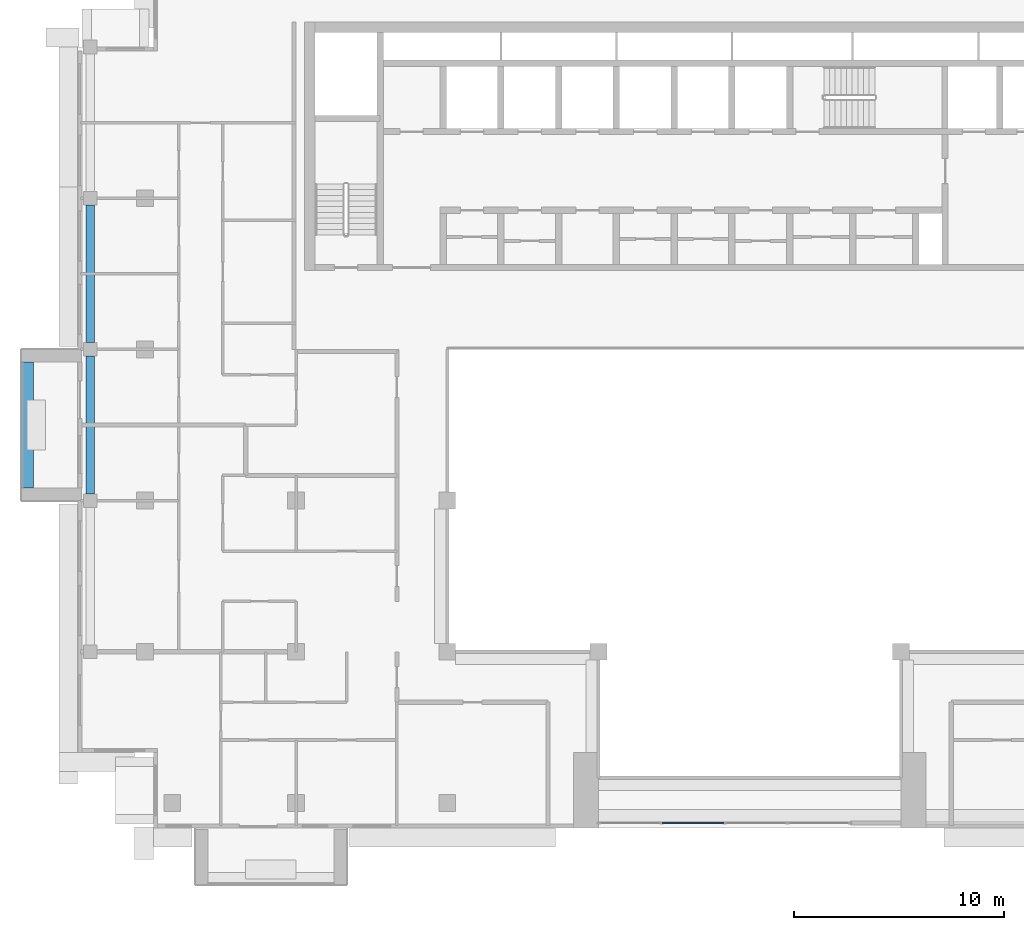
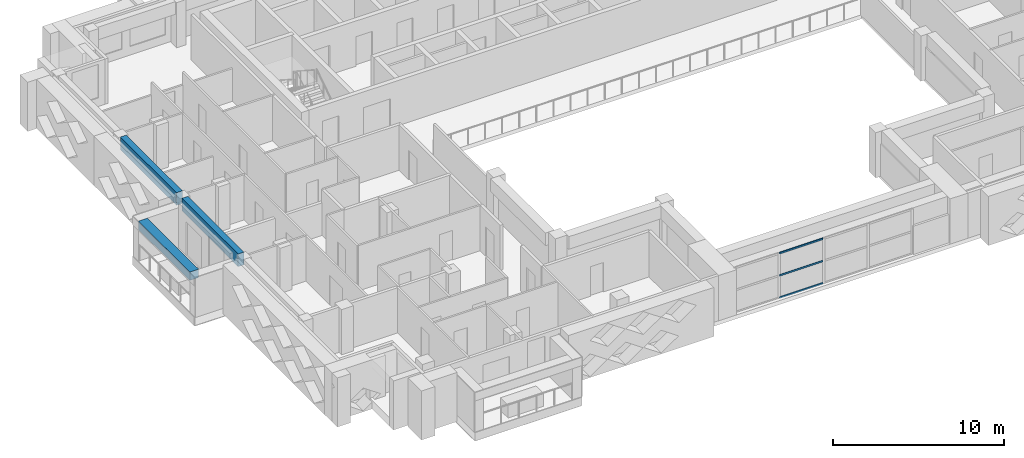
# One storey, part 3 of 19: 3 beams, 3 members, 1 element without a shape of its own.
"""IFC4 building model written with IfcOpenShell, lengths in metres."""

from ifc_helpers import new_model, si_unit, direction, frame, origin, origin_2d, place, context, subcontext, project, spatial, rectangle, extrude, source, transform, mapped, material, layer, layer_set, material_profile, profile_set, type_object, element, aggregate, save


model = new_model("IFC4")

# Units and contexts
model_context = context("Model", 3, precision=1e-05, world=origin(), true_north=direction((0.0, 1.0)))
body_context = subcontext(model_context, "Body", "Model", "MODEL_VIEW")
ifc_project = project(units=[si_unit("LENGTHUNIT", "METRE"), si_unit("AREAUNIT", "SQUARE_METRE"), si_unit("VOLUMEUNIT", "CUBIC_METRE"), si_unit("PLANEANGLEUNIT", "RADIAN"), si_unit("MASSUNIT", "GRAM", prefix="KILO")], contexts=[model_context])

# Site, building, storey
site_placement = place(None, origin())
site = spatial("IfcSite", under=ifc_project, at=site_placement, CompositionType="ELEMENT")
building_placement = place(site_placement, origin())
building = spatial("IfcBuilding", under=site, at=building_placement, Name="Saffron Iwan Residences", CompositionType="ELEMENT")
storey_placement = place(building_placement, frame((0.0, 0.0, 236.0)))
storey = spatial("IfcBuildingStorey", under=building, at=storey_placement, Name="L63", CompositionType="ELEMENT", Elevation=236.0)

# Beams
ifc_material_1 = material(Name="Concrete C40/50", Category="concrete")
ifc_material_profile_1 = material_profile(ifc_material_1, rectangle(XDim=0.39990234375, YDim=0.89990234375, at=origin_2d()), Name="RC 400x900")
ifc_profile_set_1 = profile_set([ifc_material_profile_1], Name="Concrete C40/50")
beam_type_1 = type_object("IfcBeamType", Name="SPANDREL BEAM RC 400x900 C40/50 TOP 3220", PredefinedType="SPANDREL", material=ifc_profile_set_1)
shared_shape_1 = source(origin(), body_context, "Body", "SweptSolid", [
    extrude(rectangle(XDim=0.39990234375, YDim=0.89990234375, at=origin_2d()), origin(), (0.0, 0.0, 1.0), 6.550048828125),
])
beam_1_placement = place(storey_placement, frame((19.0, 55.52490234375, 2.77001953125), z_axis=(0.0, 1.0, 0.0), x_axis=(-1.0, 0.0, 0.0)))
element("IfcBeam", 1, at=beam_1_placement, inside=storey, type_object=beam_type_1, Name="Spandrel beam", PredefinedType="SPANDREL", context=body_context, shape_type="MappedRepresentation", body=[
    mapped(shared_shape_1, transform((0.0, 0.0, 0.0))),
])
shared_shape_2 = source(origin(), body_context, "Body", "SweptSolid", [
    extrude(rectangle(XDim=0.39990234375, YDim=0.89990234375, at=origin_2d()), origin(), (0.0, 0.0, 1.0), 6.5498046875),
])
beam_2_placement = place(storey_placement, frame((19.0, 62.72509765625, 2.77001953125), z_axis=(0.0, 1.0, 0.0), x_axis=(-1.0, 0.0, 0.0)))
element("IfcBeam", 2, at=beam_2_placement, inside=storey, type_object=beam_type_1, Name="Spandrel beam", PredefinedType="SPANDREL", context=body_context, shape_type="MappedRepresentation", body=[
    mapped(shared_shape_2, transform((0.0, 0.0, 0.0))),
])

# Curtain wall, members
ifc_material_2 = material(Name="Clear glass, laminated double glazed", Category="glass")
ifc_layer = layer(ifc_material_2, 0.199951171875)
ifc_layer_set = layer_set([ifc_layer], Name="Clear glass, laminated double glazed")
curtain_wall_type = type_object("IfcCurtainWallType", Name="CW-B IWAN PORTAL", PredefinedType="NOTDEFINED", material=ifc_layer_set)
curtain_wall_placement = place(storey_placement, origin())
curtain_wall = element("IfcCurtainWall", 3, at=curtain_wall_placement, inside=storey, type_object=curtain_wall_type, Name="Iwan portal glazing L63.1", PredefinedType="NOTDEFINED")
ifc_material_3 = material(Name="Aluminium 6063-T6", Category="aluminium")
ifc_material_profile_2 = material_profile(ifc_material_3, rectangle(XDim=0.06005859375, YDim=0.1201171875, at=origin_2d()), Name="CW-B TRANSOM 60 x 120")
ifc_profile_set_2 = profile_set([ifc_material_profile_2], Name="Aluminium 6063-T6")
member_type = type_object("IfcMemberType", Name="CW-B TRANSOM 60 x 120", PredefinedType="USERDEFINED", material=ifc_profile_set_2)
shared_shape_3 = source(origin(), body_context, "Body", "SweptSolid", [
    extrude(rectangle(XDim=0.06005859375, YDim=0.1201171875, at=origin_2d()), origin(), (0.0, 0.0, 1.0), 2.93994140625),
])
member_1_placement = place(storey_placement, frame((46.22998046875, 39.85009765625, 0.030029296875), z_axis=(1.0, 0.0, 0.0), x_axis=(0.0, 1.0, 0.0)))
member_1 = element("IfcMember", 4, at=member_1_placement, type_object=member_type, Name="CW-B transom 2.1", ObjectType="TRANSOM", PredefinedType="USERDEFINED", context=body_context, shape_type="MappedRepresentation", body=[
    mapped(shared_shape_3, transform((0.0, 0.0, 0.0))),
])
member_2_placement = place(storey_placement, frame((46.22998046875, 39.85009765625, 1.610107421875), z_axis=(1.0, 0.0, 0.0), x_axis=(0.0, 1.0, 0.0)))
member_2 = element("IfcMember", 5, at=member_2_placement, type_object=member_type, Name="CW-B transom 2.2", ObjectType="TRANSOM", PredefinedType="USERDEFINED", context=body_context, shape_type="MappedRepresentation", body=[
    mapped(shared_shape_3, transform((0.0, 0.0, 0.0))),
])
member_3_placement = place(storey_placement, frame((46.22998046875, 39.85009765625, 3.18994140625), z_axis=(1.0, 0.0, 0.0), x_axis=(0.0, 1.0, 0.0)))
member_3 = element("IfcMember", 6, at=member_3_placement, type_object=member_type, Name="CW-B transom 2.3", ObjectType="TRANSOM", PredefinedType="USERDEFINED", context=body_context, shape_type="MappedRepresentation", body=[
    mapped(shared_shape_3, transform((0.0, 0.0, 0.0))),
])
aggregate(curtain_wall, [member_1, member_2, member_3])

# Beam
ifc_material_4 = material(Name="Concrete C50/60 white painted", Category="concrete")
ifc_material_profile_3 = material_profile(ifc_material_4, rectangle(XDim=0.60009765625, YDim=0.60009765625, at=origin_2d()), Name="BALCONY FASCIA BEAM 600 x 600")
ifc_profile_set_3 = profile_set([ifc_material_profile_3], Name="Concrete C50/60 white painted")
beam_type_2 = type_object("IfcBeamType", Name="BALCONY FASCIA BEAM 600 x 600", PredefinedType="BEAM", material=ifc_profile_set_3)
shared_shape_4 = source(origin(), body_context, "Body", "SweptSolid", [
    extrude(rectangle(XDim=0.60009765625, YDim=0.60009765625, at=origin_2d()), origin(), (0.0, 0.0, 1.0), 6.0),
])
beam_3_placement = place(storey_placement, frame((16.0, 61.800048828125, 2.550048828125), z_axis=(0.0, -1.0, 0.0), x_axis=(1.0, 0.0, 0.0)))
element("IfcBeam", 7, at=beam_3_placement, inside=storey, type_object=beam_type_2, Name="Balcony fascia beam L63 F8-0", PredefinedType="BEAM", context=body_context, shape_type="MappedRepresentation", body=[
    mapped(shared_shape_4, transform((0.0, 0.0, 0.0))),
])

save(model, "model.ifc")
